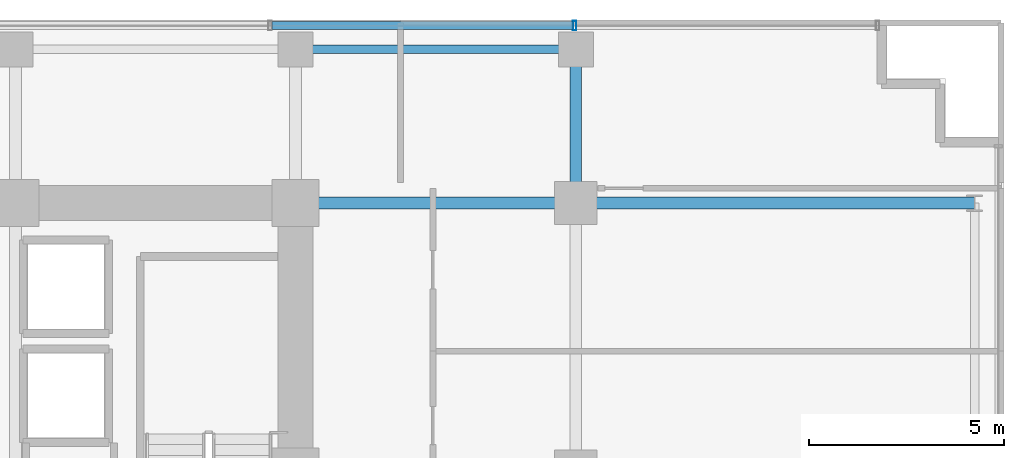
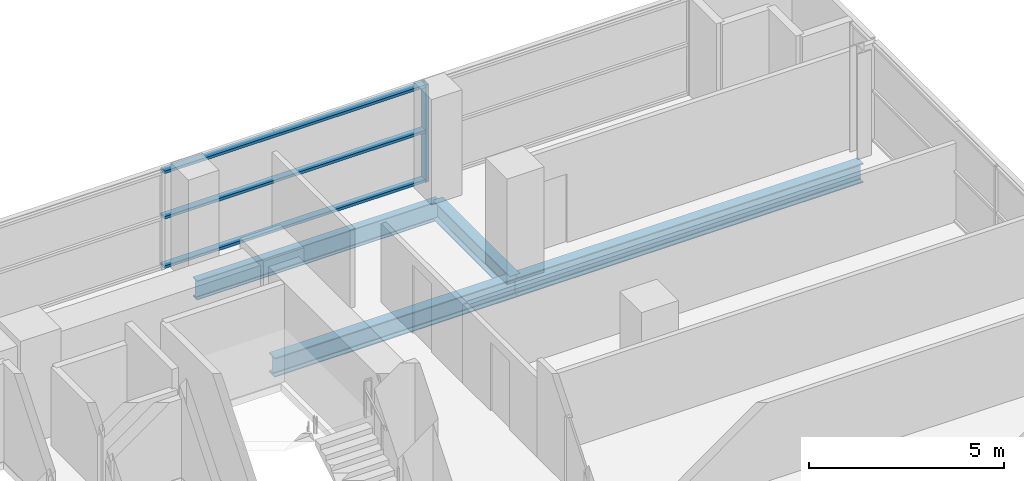
# One storey, part 21 of 32: 4 beams, 4 members, 1 element without a shape of its own.
"""IFC4 building model written with IfcOpenShell, lengths in metres."""

import ifcopenshell
import ifcopenshell.guid

model = None  # the IFC model being written
_history = None  # IfcOwnerHistory: only IFC2X3 demands one
_inside = {}  # id of a spatial element -> (the spatial element, [elements in it])
_under = {}  # id of a project, library or spatial element -> (it, [spatial elements below it])
_declared = {}  # id of a project -> (the project, [libraries it declares])
_typed = {}  # id of a type object -> (the type object, [elements of that type])
_made_of = {}  # id of a material, layer set ... -> (it, [elements and type objects made of it])


def new_model(schema):
    """Start an empty IFC model of exactly this schema.

    Asked for "IFC4X3", IfcOpenShell would pick the latest addendum, in which some entities
    have other attributes; the version numbers below select the first issue.
    IFC2X3 requires an IfcOwnerHistory on every rooted entity: one is made here for all.
    """
    global model, _history
    if schema == "IFC4X3":
        model = ifcopenshell.file(schema_version=(4, 3, 0, 0))
    else:
        model = ifcopenshell.file(schema=schema)
    _inside.clear()
    _under.clear()
    _declared.clear()
    _typed.clear()
    _made_of.clear()
    _history = None
    if model.schema == "IFC2X3":
        org = make("IfcOrganization", Name="unknown")
        user = make(
            "IfcPersonAndOrganization",
            ThePerson=make("IfcPerson", FamilyName="unknown"),
            TheOrganization=org,
        )
        app = make(
            "IfcApplication",
            ApplicationDeveloper=org,
            Version="unknown",
            ApplicationFullName="unknown",
            ApplicationIdentifier="unknown",
        )
        _history = make(
            "IfcOwnerHistory",
            OwningUser=user,
            OwningApplication=app,
            ChangeAction="ADDED",
            CreationDate=0,
        )
    return model


def make(cls, **values):
    """One entity of the class cls with the attributes given. An attribute that is None is left unset."""
    return model.create_entity(
        cls, **{name: value for name, value in values.items() if value is not None}
    )


def rooted(cls, **values):
    """An entity with a GlobalId (a new one), such as an element, a storey or a relation."""
    return make(cls, GlobalId=ifcopenshell.guid.new(), OwnerHistory=_history, **values)


def si_unit(unit_type, name, prefix=None):
    """IfcSIUnit, for example si_unit("LENGTHUNIT", "METRE", prefix="MILLI")."""
    return make("IfcSIUnit", UnitType=unit_type, Prefix=prefix, Name=name)


def assignment(units):
    """IfcUnitAssignment: the units of a project."""
    return None if units is None else make("IfcUnitAssignment", Units=units)


def point(xyz):
    """IfcCartesianPoint."""
    return None if xyz is None else make("IfcCartesianPoint", Coordinates=xyz)


def direction(xyz):
    """IfcDirection."""
    return None if xyz is None else make("IfcDirection", DirectionRatios=xyz)


def frame(location, z_axis=None, x_axis=None):
    """IfcAxis2Placement3D, a coordinate frame: its origin and axes. An axis left out is left unset."""
    return make(
        "IfcAxis2Placement3D",
        Location=point(location),
        Axis=direction(z_axis),
        RefDirection=direction(x_axis),
    )


def frame_2d(location, x_axis=None):
    """IfcAxis2Placement2D, a coordinate frame in the plane: its origin and x axis."""
    return make(
        "IfcAxis2Placement2D", Location=point(location), RefDirection=direction(x_axis)
    )


def origin():
    """The frame at (0, 0, 0) with its axes left unset."""
    return frame((0.0, 0.0, 0.0))


def origin_2d():
    """The frame at (0, 0) in the plane with its x axis left unset."""
    return frame_2d((0.0, 0.0))


def place(relative_to, where):
    """IfcLocalPlacement: puts the frame where relative to a parent placement (None: the world)."""
    return make(
        "IfcLocalPlacement", PlacementRelTo=relative_to, RelativePlacement=where
    )


def context(
    kind, dimensions, precision=None, world=None, true_north=None, identifier=None
):
    """IfcGeometricRepresentationContext, for example the 3D "Model" context."""
    return make(
        "IfcGeometricRepresentationContext",
        ContextIdentifier=identifier,
        ContextType=kind,
        CoordinateSpaceDimension=dimensions,
        Precision=precision,
        WorldCoordinateSystem=world,
        TrueNorth=true_north,
    )


def subcontext(parent, identifier, kind, view, scale=None):
    """IfcGeometricRepresentationSubContext, for example "Body" below "Model"."""
    return make(
        "IfcGeometricRepresentationSubContext",
        ContextIdentifier=identifier,
        ContextType=kind,
        ParentContext=parent,
        TargetScale=scale,
        TargetView=view,
    )


def project(units=None, contexts=None):
    """IfcProject with its units and contexts."""
    return rooted(
        "IfcProject",
        Name="project",
        RepresentationContexts=contexts,
        UnitsInContext=assignment(units),
    )


def spatial(cls, under=None, at=None, **own):
    """A site, building, storey or space (cls), placed at a placement, below another one or the project."""
    s = rooted(cls, ObjectPlacement=at, **own)
    if under is not None:
        _under.setdefault(under.id(), (under, []))[1].append(s)
    return s


def profile(cls, at=None, kind="AREA", **sizes):
    """A parametric profile (cls). Its sizes go by their IFC names, for example OverallWidth=200.0."""
    return make(cls, ProfileType=kind, Position=at, **sizes)


def hollow_rectangle(**sizes):
    """IfcRectangleHollowProfileDef."""
    return profile("IfcRectangleHollowProfileDef", **sizes)


def i_section(**sizes):
    """IfcIShapeProfileDef."""
    return profile("IfcIShapeProfileDef", **sizes)


def extrude(swept, where, along, depth):
    """IfcExtrudedAreaSolid: the profile swept, set in the frame where, extruded along a direction by depth."""
    return make(
        "IfcExtrudedAreaSolid",
        SweptArea=swept,
        Position=where,
        ExtrudedDirection=direction(along),
        Depth=depth,
    )


def shape(context_of_items, identifier, shape_type, items):
    """IfcShapeRepresentation: the items that make up one representation, for example the "Body"."""
    return make(
        "IfcShapeRepresentation",
        ContextOfItems=context_of_items,
        RepresentationIdentifier=identifier,
        RepresentationType=shape_type,
        Items=items,
    )


def source(mapping_origin, context_of_items, identifier, shape_type, items):
    """IfcRepresentationMap: a shape defined once, which mapped items show again and again."""
    return make(
        "IfcRepresentationMap",
        MappingOrigin=mapping_origin,
        MappedRepresentation=shape(context_of_items, identifier, shape_type, items),
    )


def transform(
    local_origin,
    x_axis=None,
    y_axis=None,
    z_axis=None,
    scale=None,
    scale2=None,
    scale3=None,
    uniform=True,
):
    """IfcCartesianTransformationOperator3D, or its non-uniform kind. x_axis, y_axis, z_axis: its Axis1, 2, 3."""
    if uniform:
        return make(
            "IfcCartesianTransformationOperator3D",
            Axis1=direction(x_axis),
            Axis2=direction(y_axis),
            LocalOrigin=point(local_origin),
            Scale=scale,
            Axis3=direction(z_axis),
        )
    return make(
        "IfcCartesianTransformationOperator3DnonUniform",
        Axis1=direction(x_axis),
        Axis2=direction(y_axis),
        LocalOrigin=point(local_origin),
        Scale=scale,
        Axis3=direction(z_axis),
        Scale2=scale2,
        Scale3=scale3,
    )


def mapped(mapping_source, mapping_target):
    """IfcMappedItem: shows the shape of a source again, moved by a transform."""
    return make(
        "IfcMappedItem", MappingSource=mapping_source, MappingTarget=mapping_target
    )


def material(Name=None, Category=None):
    """IfcMaterial."""
    return make("IfcMaterial", Name=Name, Category=Category)


def layer(
    of_material, thickness, ventilated=None, Name=None, Category=None, Priority=None
):
    """IfcMaterialLayer: one layer of a wall or slab, of a material (None: an air gap)."""
    return make(
        "IfcMaterialLayer",
        Material=of_material,
        LayerThickness=thickness,
        IsVentilated=ventilated,
        Name=Name,
        Category=Category,
        Priority=Priority,
    )


def layer_set(layers, Name=None):
    """IfcMaterialLayerSet."""
    return make("IfcMaterialLayerSet", MaterialLayers=layers, LayerSetName=Name)


def material_profile(
    of_material, cross_section, Name=None, Category=None, Priority=None
):
    """IfcMaterialProfile: a cross section and its material."""
    return make(
        "IfcMaterialProfile",
        Name=Name,
        Material=of_material,
        Profile=cross_section,
        Priority=Priority,
        Category=Category,
    )


def profile_set(profiles, Name=None, composite=None):
    """IfcMaterialProfileSet."""
    return make(
        "IfcMaterialProfileSet",
        Name=Name,
        MaterialProfiles=profiles,
        CompositeProfile=composite,
    )


def made_of(thing, what):
    """Note that an element or type object is made of a material, layer set ...; save() writes the relation."""
    if what is not None:
        _made_of.setdefault(what.id(), (what, []))[1].append(thing)
    return thing


def type_object(cls, material=None, **own):
    """A type object (cls), such as IfcWallType, which elements share."""
    return made_of(rooted(cls, **own), material)


def element(
    cls,
    number,
    at=None,
    inside=None,
    cuts=None,
    type_object=None,
    material=None,
    context=None,
    identifier="Body",
    shape_type=None,
    held_by="IfcProductDefinitionShape",
    body=None,
    shapes=None,
    **own,
):
    """One element of the class cls, such as IfcWall. Its Tag is "e" and its number.

    at: its placement. inside: the storey or other place that contains it. cuts: it is an
    opening in that element (IfcRelVoidsElement). A single representation is given by context,
    identifier, shape_type and body (its items); several are given by shapes. held_by: the class
    of the entity that holds the representations. save() writes the other relations.
    """
    e = rooted(cls, Tag="e%d" % number, ObjectPlacement=at, **own)
    if body is not None:
        shapes = [shape(context, identifier, shape_type, body)]
    if shapes is not None:
        e.Representation = make(held_by, Representations=shapes)
    if inside is not None:
        _inside.setdefault(inside.id(), (inside, []))[1].append(e)
    if cuts is not None:
        rooted(
            "IfcRelVoidsElement", RelatingBuildingElement=cuts, RelatedOpeningElement=e
        )
    if type_object is not None:
        _typed.setdefault(type_object.id(), (type_object, []))[1].append(e)
    return made_of(e, material)


def aggregate(whole, parts):
    """IfcRelAggregates: a whole, such as a stair, and the parts it consists of."""
    return rooted("IfcRelAggregates", RelatingObject=whole, RelatedObjects=parts)


def save(model, path):
    """Write the relations noted so far, then the file.

    IfcRelAggregates (storeys below a building ...), IfcRelContainedInSpatialStructure (elements
    in a storey), IfcRelDefinesByType, IfcRelAssociatesMaterial and IfcRelDeclares: one each for
    every whole, place, type object, material and project.
    """
    for whole, parts in _under.values():
        aggregate(whole, parts)
    for where, things in _inside.values():
        rooted(
            "IfcRelContainedInSpatialStructure",
            RelatedElements=things,
            RelatingStructure=where,
        )
    for kind, things in _typed.values():
        rooted("IfcRelDefinesByType", RelatedObjects=things, RelatingType=kind)
    for what, things in _made_of.values():
        rooted("IfcRelAssociatesMaterial", RelatedObjects=things, RelatingMaterial=what)
    for by, libraries in _declared.values():
        rooted("IfcRelDeclares", RelatingContext=by, RelatedDefinitions=libraries)
    model.write(path)


model = new_model("IFC4")

# Units and contexts
model_context = context("Model", 3, precision=1e-05, world=origin(), true_north=direction((0.0, 1.0)))
body_context = subcontext(model_context, "Body", "Model", "MODEL_VIEW")
ifc_project = project(units=[si_unit("LENGTHUNIT", "METRE"), si_unit("AREAUNIT", "SQUARE_METRE"), si_unit("VOLUMEUNIT", "CUBIC_METRE"), si_unit("PLANEANGLEUNIT", "RADIAN"), si_unit("MASSUNIT", "GRAM", prefix="KILO")], contexts=[model_context])

# Site, building, storey
site_placement = place(None, origin())
site = spatial("IfcSite", under=ifc_project, at=site_placement, CompositionType="ELEMENT")
building_placement = place(site_placement, origin())
building = spatial("IfcBuilding", under=site, at=building_placement, Name="Zarnakvel Exchange Tower", CompositionType="ELEMENT")
storey_placement = place(building_placement, frame((0.0, 0.0, 73.60009765625)))
storey = spatial("IfcBuildingStorey", under=building, at=storey_placement, Name="L20", CompositionType="ELEMENT", Elevation=73.60009765625)

# Beams
ifc_material_1 = material(Name="Steel S355", Category="steel")
ifc_material_profile_1 = material_profile(ifc_material_1, i_section(OverallWidth=0.300048828125, OverallDepth=0.60009765625, WebThickness=0.015380859375, FlangeThickness=0.030029296875, FilletRadius=0.027099609375, at=origin_2d()))
ifc_profile_set_1 = profile_set([ifc_material_profile_1], Name="Steel S355")
beam_type_1 = type_object("IfcBeamType", Name="G-04", PredefinedType="BEAM", material=ifc_profile_set_1)
beam_1_placement = place(storey_placement, frame((14.39990234375, 13.5, -0.525146484375), z_axis=(1.0, 0.0, 0.0), x_axis=(0.0, 1.0, 0.0)))
element("IfcBeam", 1, at=beam_1_placement, inside=storey, type_object=beam_type_1, Name="L20 Tower E-W Frame Beam", PredefinedType="BEAM", context=body_context, shape_type="SweptSolid", body=[
    extrude(i_section(OverallWidth=0.300048828125, OverallDepth=0.60009765625, WebThickness=0.015380859375, FlangeThickness=0.030029296875, FilletRadius=0.027099609375, at=origin_2d()), origin(), (0.0, 0.0, 1.0), 7.2001953125),
])
beam_2_placement = place(storey_placement, frame((21.60009765625, 13.5, -0.525146484375), z_axis=(1.0, 0.0, 0.0), x_axis=(0.0, 1.0, 0.0)))
element("IfcBeam", 2, at=beam_2_placement, inside=storey, type_object=beam_type_1, Name="L20 Tower E-W Frame Beam", PredefinedType="BEAM", context=body_context, shape_type="SweptSolid", body=[
    extrude(i_section(OverallWidth=0.300048828125, OverallDepth=0.60009765625, WebThickness=0.015380859375, FlangeThickness=0.030029296875, FilletRadius=0.027099609375, at=origin_2d()), origin(), (0.0, 0.0, 1.0), 10.25),
])
beam_3_placement = place(storey_placement, frame((21.60009765625, 13.5, -0.525146484375), z_axis=(0.0, 1.0, 0.0), x_axis=(-1.0, 0.0, 0.0)))
element("IfcBeam", 3, at=beam_3_placement, inside=storey, type_object=beam_type_1, Name="L20 Tower N-S Frame Beam", PredefinedType="BEAM", context=body_context, shape_type="SweptSolid", body=[
    extrude(i_section(OverallWidth=0.300048828125, OverallDepth=0.60009765625, WebThickness=0.015380859375, FlangeThickness=0.030029296875, FilletRadius=0.027099609375, at=origin_2d()), origin(), (0.0, 0.0, 1.0), 3.949951171875),
])
ifc_material_profile_2 = material_profile(ifc_material_1, i_section(OverallWidth=0.219970703125, OverallDepth=0.60009765625, WebThickness=0.011962890625, FlangeThickness=0.01904296875, FilletRadius=0.02392578125, at=origin_2d()))
ifc_profile_set_2 = profile_set([ifc_material_profile_2], Name="Steel S355")
beam_type_2 = type_object("IfcBeamType", Name="SP-01", PredefinedType="SPANDREL", material=ifc_profile_set_2)
beam_4_placement = place(storey_placement, frame((14.39990234375, 17.449951171875, -0.525146484375), z_axis=(1.0, 0.0, 0.0), x_axis=(0.0, 1.0, 0.0)))
element("IfcBeam", 4, at=beam_4_placement, inside=storey, type_object=beam_type_2, Name="L20 Tower E-W Frame Beam", PredefinedType="SPANDREL", context=body_context, shape_type="SweptSolid", body=[
    extrude(i_section(OverallWidth=0.219970703125, OverallDepth=0.60009765625, WebThickness=0.011962890625, FlangeThickness=0.01904296875, FilletRadius=0.02392578125, at=origin_2d()), origin(), (0.0, 0.0, 1.0), 7.2001953125),
])

# Curtain wall, members
ifc_material_2 = material(Name="Architectural Bronze Anodised Aluminium", Category="aluminium")
ifc_layer = layer(ifc_material_2, 0.239990234375)
ifc_layer_set = layer_set([ifc_layer], Name="Architectural Bronze Anodised Aluminium")
curtain_wall_type = type_object("IfcCurtainWallType", Name="CW-02", PredefinedType="NOTDEFINED", material=ifc_layer_set)
curtain_wall_placement = place(storey_placement, origin())
curtain_wall = element("IfcCurtainWall", 5, at=curtain_wall_placement, inside=storey, type_object=curtain_wall_type, Name="L20 Curtain Wall CW-L20-N1 (CW-02)", PredefinedType="NOTDEFINED")
ifc_material_profile_3 = material_profile(ifc_material_2, hollow_rectangle(XDim=0.199951171875, YDim=0.0849609375, WallThickness=0.0048828125, at=origin_2d()))
ifc_profile_set_3 = profile_set([ifc_material_profile_3], Name="Architectural Bronze Anodised Aluminium")
member_type_1 = type_object("IfcMemberType", Name="CWT-02", PredefinedType="USERDEFINED", material=ifc_profile_set_3)
shared_shape_1 = source(origin(), body_context, "Body", "SweptSolid", [
    extrude(hollow_rectangle(XDim=0.199951171875, YDim=0.0849609375, WallThickness=0.0048828125, at=origin_2d()), origin(), (0.0, 0.0, 1.0), 7.738525390625),
])
member_1_placement = place(storey_placement, frame((13.787841796875, 18.06005859375, 0.04248046875), z_axis=(1.0, 0.0, 0.0), x_axis=(0.0, 1.0, 0.0)))
member_1 = element("IfcMember", 6, at=member_1_placement, type_object=member_type_1, Name="CW-02 transom 6.1", ObjectType="TRANSOM", PredefinedType="USERDEFINED", context=body_context, shape_type="MappedRepresentation", body=[
    mapped(shared_shape_1, transform((0.0, 0.0, 0.0), x_axis=(1.0, 0.0, 0.0), y_axis=(0.0, 1.0, 0.0), z_axis=(0.0, 0.0, 1.0), scale=1.0)),
])
member_2_placement = place(storey_placement, frame((13.787841796875, 18.06005859375, 1.588623046875), z_axis=(1.0, 0.0, 0.0), x_axis=(0.0, 1.0, 0.0)))
member_2 = element("IfcMember", 7, at=member_2_placement, type_object=member_type_1, Name="CW-02 transom 6.2", ObjectType="TRANSOM", PredefinedType="USERDEFINED", context=body_context, shape_type="MappedRepresentation", body=[
    mapped(shared_shape_1, transform((0.0, 0.0, 0.0), x_axis=(1.0, 0.0, 0.0), y_axis=(0.0, 1.0, 0.0), z_axis=(0.0, 0.0, 1.0), scale=1.0)),
])
member_3_placement = place(storey_placement, frame((13.787841796875, 18.06005859375, 3.012451171875), z_axis=(1.0, 0.0, 0.0), x_axis=(0.0, 1.0, 0.0)))
member_3 = element("IfcMember", 8, at=member_3_placement, type_object=member_type_1, Name="CW-02 transom 6.3", ObjectType="TRANSOM", PredefinedType="USERDEFINED", context=body_context, shape_type="MappedRepresentation", body=[
    mapped(shared_shape_1, transform((0.0, 0.0, 0.0), x_axis=(1.0, 0.0, 0.0), y_axis=(0.0, 1.0, 0.0), z_axis=(0.0, 0.0, 1.0), scale=1.0)),
])
ifc_material_profile_4 = material_profile(ifc_material_2, hollow_rectangle(XDim=0.239990234375, YDim=0.090087890625, WallThickness=0.006103515625, at=origin_2d()))
ifc_profile_set_4 = profile_set([ifc_material_profile_4], Name="Architectural Bronze Anodised Aluminium")
member_type_2 = type_object("IfcMemberType", Name="CWM-02", PredefinedType="MULLION", material=ifc_profile_set_4)
shared_shape_2 = source(origin(), body_context, "Body", "SweptSolid", [
    extrude(hollow_rectangle(XDim=0.239990234375, YDim=0.090087890625, WallThickness=0.006103515625, at=origin_2d()), origin(), (0.0, 0.0, 1.0), 3.054931640625),
])
member_4_placement = place(storey_placement, frame((21.571533203125, 18.06005859375, 0.0), z_axis=(0.0, 0.0, 1.0), x_axis=(0.0, 1.0, 0.0)))
member_4 = element("IfcMember", 9, at=member_4_placement, type_object=member_type_2, Name="CW-02 mullion 7", PredefinedType="MULLION", context=body_context, shape_type="MappedRepresentation", body=[
    mapped(shared_shape_2, transform((0.0, 0.0, 0.0), x_axis=(1.0, 0.0, 0.0), y_axis=(0.0, 1.0, 0.0), z_axis=(0.0, 0.0, 1.0), scale=1.0)),
])
aggregate(curtain_wall, [member_4, member_1, member_2, member_3])

save(model, "model.ifc")
